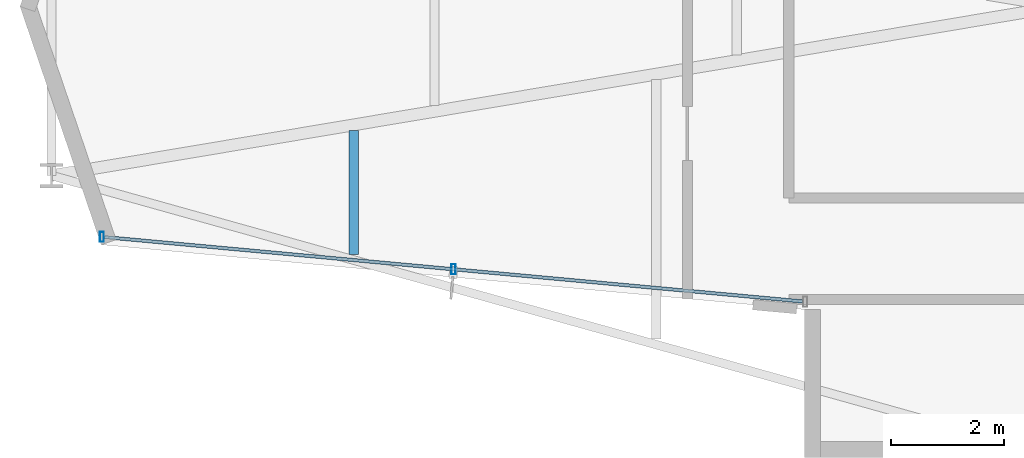
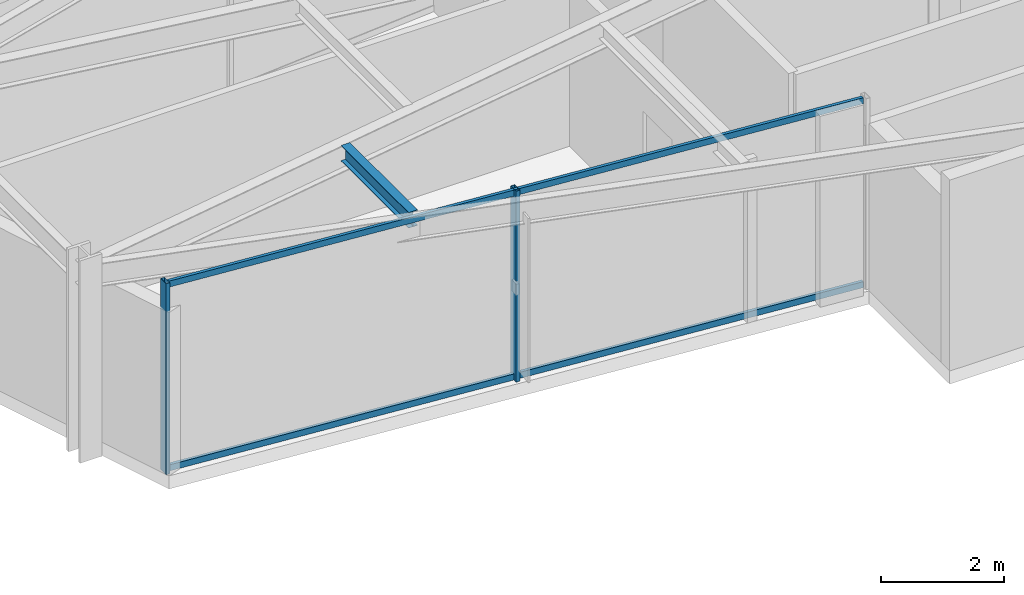
# One storey, part 2 of 22: 4 members, 1 beam, 1 element without a shape of its own.
"""IFC4 building model written with IfcOpenShell, lengths in metres."""

import ifcopenshell
import ifcopenshell.guid

model = None  # the IFC model being written
_history = None  # IfcOwnerHistory: only IFC2X3 demands one
_inside = {}  # id of a spatial element -> (the spatial element, [elements in it])
_under = {}  # id of a project, library or spatial element -> (it, [spatial elements below it])
_declared = {}  # id of a project -> (the project, [libraries it declares])
_typed = {}  # id of a type object -> (the type object, [elements of that type])
_made_of = {}  # id of a material, layer set ... -> (it, [elements and type objects made of it])


def new_model(schema):
    """Start an empty IFC model of exactly this schema.

    Asked for "IFC4X3", IfcOpenShell would pick the latest addendum, in which some entities
    have other attributes; the version numbers below select the first issue.
    IFC2X3 requires an IfcOwnerHistory on every rooted entity: one is made here for all.
    """
    global model, _history
    if schema == "IFC4X3":
        model = ifcopenshell.file(schema_version=(4, 3, 0, 0))
    else:
        model = ifcopenshell.file(schema=schema)
    _inside.clear()
    _under.clear()
    _declared.clear()
    _typed.clear()
    _made_of.clear()
    _history = None
    if model.schema == "IFC2X3":
        org = make("IfcOrganization", Name="unknown")
        user = make(
            "IfcPersonAndOrganization",
            ThePerson=make("IfcPerson", FamilyName="unknown"),
            TheOrganization=org,
        )
        app = make(
            "IfcApplication",
            ApplicationDeveloper=org,
            Version="unknown",
            ApplicationFullName="unknown",
            ApplicationIdentifier="unknown",
        )
        _history = make(
            "IfcOwnerHistory",
            OwningUser=user,
            OwningApplication=app,
            ChangeAction="ADDED",
            CreationDate=0,
        )
    return model


def make(cls, **values):
    """One entity of the class cls with the attributes given. An attribute that is None is left unset."""
    return model.create_entity(
        cls, **{name: value for name, value in values.items() if value is not None}
    )


def rooted(cls, **values):
    """An entity with a GlobalId (a new one), such as an element, a storey or a relation."""
    return make(cls, GlobalId=ifcopenshell.guid.new(), OwnerHistory=_history, **values)


def si_unit(unit_type, name, prefix=None):
    """IfcSIUnit, for example si_unit("LENGTHUNIT", "METRE", prefix="MILLI")."""
    return make("IfcSIUnit", UnitType=unit_type, Prefix=prefix, Name=name)


def assignment(units):
    """IfcUnitAssignment: the units of a project."""
    return None if units is None else make("IfcUnitAssignment", Units=units)


def point(xyz):
    """IfcCartesianPoint."""
    return None if xyz is None else make("IfcCartesianPoint", Coordinates=xyz)


def direction(xyz):
    """IfcDirection."""
    return None if xyz is None else make("IfcDirection", DirectionRatios=xyz)


def frame(location, z_axis=None, x_axis=None):
    """IfcAxis2Placement3D, a coordinate frame: its origin and axes. An axis left out is left unset."""
    return make(
        "IfcAxis2Placement3D",
        Location=point(location),
        Axis=direction(z_axis),
        RefDirection=direction(x_axis),
    )


def frame_2d(location, x_axis=None):
    """IfcAxis2Placement2D, a coordinate frame in the plane: its origin and x axis."""
    return make(
        "IfcAxis2Placement2D", Location=point(location), RefDirection=direction(x_axis)
    )


def origin():
    """The frame at (0, 0, 0) with its axes left unset."""
    return frame((0.0, 0.0, 0.0))


def origin_2d():
    """The frame at (0, 0) in the plane with its x axis left unset."""
    return frame_2d((0.0, 0.0))


def place(relative_to, where):
    """IfcLocalPlacement: puts the frame where relative to a parent placement (None: the world)."""
    return make(
        "IfcLocalPlacement", PlacementRelTo=relative_to, RelativePlacement=where
    )


def context(
    kind, dimensions, precision=None, world=None, true_north=None, identifier=None
):
    """IfcGeometricRepresentationContext, for example the 3D "Model" context."""
    return make(
        "IfcGeometricRepresentationContext",
        ContextIdentifier=identifier,
        ContextType=kind,
        CoordinateSpaceDimension=dimensions,
        Precision=precision,
        WorldCoordinateSystem=world,
        TrueNorth=true_north,
    )


def subcontext(parent, identifier, kind, view, scale=None):
    """IfcGeometricRepresentationSubContext, for example "Body" below "Model"."""
    return make(
        "IfcGeometricRepresentationSubContext",
        ContextIdentifier=identifier,
        ContextType=kind,
        ParentContext=parent,
        TargetScale=scale,
        TargetView=view,
    )


def project(units=None, contexts=None):
    """IfcProject with its units and contexts."""
    return rooted(
        "IfcProject",
        Name="project",
        RepresentationContexts=contexts,
        UnitsInContext=assignment(units),
    )


def spatial(cls, under=None, at=None, **own):
    """A site, building, storey or space (cls), placed at a placement, below another one or the project."""
    s = rooted(cls, ObjectPlacement=at, **own)
    if under is not None:
        _under.setdefault(under.id(), (under, []))[1].append(s)
    return s


def profile(cls, at=None, kind="AREA", **sizes):
    """A parametric profile (cls). Its sizes go by their IFC names, for example OverallWidth=200.0."""
    return make(cls, ProfileType=kind, Position=at, **sizes)


def hollow_rectangle(**sizes):
    """IfcRectangleHollowProfileDef."""
    return profile("IfcRectangleHollowProfileDef", **sizes)


def i_section(**sizes):
    """IfcIShapeProfileDef."""
    return profile("IfcIShapeProfileDef", **sizes)


def extrude(swept, where, along, depth):
    """IfcExtrudedAreaSolid: the profile swept, set in the frame where, extruded along a direction by depth."""
    return make(
        "IfcExtrudedAreaSolid",
        SweptArea=swept,
        Position=where,
        ExtrudedDirection=direction(along),
        Depth=depth,
    )


def shape(context_of_items, identifier, shape_type, items):
    """IfcShapeRepresentation: the items that make up one representation, for example the "Body"."""
    return make(
        "IfcShapeRepresentation",
        ContextOfItems=context_of_items,
        RepresentationIdentifier=identifier,
        RepresentationType=shape_type,
        Items=items,
    )


def material(Name=None, Category=None):
    """IfcMaterial."""
    return make("IfcMaterial", Name=Name, Category=Category)


def layer(
    of_material, thickness, ventilated=None, Name=None, Category=None, Priority=None
):
    """IfcMaterialLayer: one layer of a wall or slab, of a material (None: an air gap)."""
    return make(
        "IfcMaterialLayer",
        Material=of_material,
        LayerThickness=thickness,
        IsVentilated=ventilated,
        Name=Name,
        Category=Category,
        Priority=Priority,
    )


def layer_set(layers, Name=None):
    """IfcMaterialLayerSet."""
    return make("IfcMaterialLayerSet", MaterialLayers=layers, LayerSetName=Name)


def material_profile(
    of_material, cross_section, Name=None, Category=None, Priority=None
):
    """IfcMaterialProfile: a cross section and its material."""
    return make(
        "IfcMaterialProfile",
        Name=Name,
        Material=of_material,
        Profile=cross_section,
        Priority=Priority,
        Category=Category,
    )


def profile_set(profiles, Name=None, composite=None):
    """IfcMaterialProfileSet."""
    return make(
        "IfcMaterialProfileSet",
        Name=Name,
        MaterialProfiles=profiles,
        CompositeProfile=composite,
    )


def made_of(thing, what):
    """Note that an element or type object is made of a material, layer set ...; save() writes the relation."""
    if what is not None:
        _made_of.setdefault(what.id(), (what, []))[1].append(thing)
    return thing


def type_object(cls, material=None, **own):
    """A type object (cls), such as IfcWallType, which elements share."""
    return made_of(rooted(cls, **own), material)


def element(
    cls,
    number,
    at=None,
    inside=None,
    cuts=None,
    type_object=None,
    material=None,
    context=None,
    identifier="Body",
    shape_type=None,
    held_by="IfcProductDefinitionShape",
    body=None,
    shapes=None,
    **own,
):
    """One element of the class cls, such as IfcWall. Its Tag is "e" and its number.

    at: its placement. inside: the storey or other place that contains it. cuts: it is an
    opening in that element (IfcRelVoidsElement). A single representation is given by context,
    identifier, shape_type and body (its items); several are given by shapes. held_by: the class
    of the entity that holds the representations. save() writes the other relations.
    """
    e = rooted(cls, Tag="e%d" % number, ObjectPlacement=at, **own)
    if body is not None:
        shapes = [shape(context, identifier, shape_type, body)]
    if shapes is not None:
        e.Representation = make(held_by, Representations=shapes)
    if inside is not None:
        _inside.setdefault(inside.id(), (inside, []))[1].append(e)
    if cuts is not None:
        rooted(
            "IfcRelVoidsElement", RelatingBuildingElement=cuts, RelatedOpeningElement=e
        )
    if type_object is not None:
        _typed.setdefault(type_object.id(), (type_object, []))[1].append(e)
    return made_of(e, material)


def aggregate(whole, parts):
    """IfcRelAggregates: a whole, such as a stair, and the parts it consists of."""
    return rooted("IfcRelAggregates", RelatingObject=whole, RelatedObjects=parts)


def save(model, path):
    """Write the relations noted so far, then the file.

    IfcRelAggregates (storeys below a building ...), IfcRelContainedInSpatialStructure (elements
    in a storey), IfcRelDefinesByType, IfcRelAssociatesMaterial and IfcRelDeclares: one each for
    every whole, place, type object, material and project.
    """
    for whole, parts in _under.values():
        aggregate(whole, parts)
    for where, things in _inside.values():
        rooted(
            "IfcRelContainedInSpatialStructure",
            RelatedElements=things,
            RelatingStructure=where,
        )
    for kind, things in _typed.values():
        rooted("IfcRelDefinesByType", RelatedObjects=things, RelatingType=kind)
    for what, things in _made_of.values():
        rooted("IfcRelAssociatesMaterial", RelatedObjects=things, RelatingMaterial=what)
    for by, libraries in _declared.values():
        rooted("IfcRelDeclares", RelatingContext=by, RelatedDefinitions=libraries)
    model.write(path)


model = new_model("IFC4")

# Units and contexts
model_context = context("Model", 3, precision=1e-05, world=origin(), true_north=direction((0.0, 1.0)))
body_context = subcontext(model_context, "Body", "Model", "MODEL_VIEW")
ifc_project = project(units=[si_unit("LENGTHUNIT", "METRE"), si_unit("AREAUNIT", "SQUARE_METRE"), si_unit("VOLUMEUNIT", "CUBIC_METRE"), si_unit("PLANEANGLEUNIT", "RADIAN"), si_unit("MASSUNIT", "GRAM", prefix="KILO")], contexts=[model_context])

# Site, building, storey
site_placement = place(None, origin())
site = spatial("IfcSite", under=ifc_project, at=site_placement, CompositionType="ELEMENT")
building_placement = place(site_placement, origin())
building = spatial("IfcBuilding", under=site, at=building_placement, Name="Veymaron Broadcast Tower", CompositionType="ELEMENT")
storey_placement = place(building_placement, frame((0.0, 0.0, 204.0)))
storey = spatial("IfcBuildingStorey", under=building, at=storey_placement, Name="L47", CompositionType="ELEMENT", Elevation=204.0)

# Beam
ifc_material_1 = material(Name="Structural steel ASTM A992 Gr 50", Category="steel")
ifc_material_profile_1 = material_profile(ifc_material_1, i_section(OverallWidth=0.1650390625, OverallDepth=0.31005859375, WebThickness=0.005859375, FlangeThickness=0.009765625, at=origin_2d()), Name="W310X39")
ifc_profile_set_1 = profile_set([ifc_material_profile_1], Name="Structural steel ASTM A992 Gr 50")
beam_type = type_object("IfcBeamType", Name="BM-JS3", PredefinedType="JOIST", material=ifc_profile_set_1)
beam_placement = place(storey_placement, frame((18.68408203125, 19.60009765625, 3.635009765625), z_axis=(0.0, 1.0, 0.0), x_axis=(-1.0, 0.0, 0.0)))
element("IfcBeam", 1, at=beam_placement, inside=storey, type_object=beam_type, Name="L47 Arm-A secondary joist 1S", PredefinedType="JOIST", context=body_context, shape_type="SweptSolid", body=[
    extrude(i_section(OverallWidth=0.1650390625, OverallDepth=0.31005859375, WebThickness=0.005859375, FlangeThickness=0.009765625, at=origin_2d()), origin(), (0.0, 0.0, 1.0), 2.199951171875),
])

# Curtain wall, members
ifc_material_2 = material(Name="Anodised aluminium AA 6063-T6 and laminated low-E dark glass", Category="aluminium")
ifc_layer = layer(ifc_material_2, 0.179931640625)
ifc_layer_set = layer_set([ifc_layer], Name="Anodised aluminium AA 6063-T6 and laminated low-E dark glass")
curtain_wall_type = type_object("IfcCurtainWallType", Name="CW-SYS-05", PredefinedType="NOTDEFINED", material=ifc_layer_set)
curtain_wall_placement = place(storey_placement, origin())
curtain_wall = element("IfcCurtainWall", 2, at=curtain_wall_placement, inside=storey, type_object=curtain_wall_type, Name="L47 dark-glass curtain wall CW-L47-E14-1", PredefinedType="NOTDEFINED")
ifc_material_3 = material(Name="Anodised aluminium AA 6063-T6", Category="aluminium")
ifc_material_profile_2 = material_profile(ifc_material_3, hollow_rectangle(XDim=0.074951171875, YDim=0.179931640625, WallThickness=0.0048828125, at=origin_2d()), Name="AL180X75X5")
ifc_profile_set_2 = profile_set([ifc_material_profile_2], Name="Anodised aluminium AA 6063-T6")
member_type_1 = type_object("IfcMemberType", Name="CW-MUL-02", PredefinedType="MULLION", material=ifc_profile_set_2)
member_1_placement = place(storey_placement, frame((14.212890625, 19.912353515625, 0.0), z_axis=(0.0, 0.0, 1.0), x_axis=(1.0, 0.0, 0.0)))
member_1 = element("IfcMember", 3, at=member_1_placement, type_object=member_type_1, Name="CW-L47-E14-1 mullion 0", PredefinedType="MULLION", context=body_context, shape_type="SweptSolid", body=[
    extrude(hollow_rectangle(XDim=0.074951171875, YDim=0.179931640625, WallThickness=0.0048828125, at=origin_2d()), origin(), (0.0, 0.0, 1.0), 3.7900390625),
])
member_2_placement = place(storey_placement, frame((20.452880859375, 19.3369140625, 0.0), z_axis=(0.0, 0.0, 1.0), x_axis=(1.0, 0.0, 0.0)))
member_2 = element("IfcMember", 4, at=member_2_placement, type_object=member_type_1, Name="CW-L47-E14-1 mullion 1", PredefinedType="MULLION", context=body_context, shape_type="SweptSolid", body=[
    extrude(hollow_rectangle(XDim=0.074951171875, YDim=0.179931640625, WallThickness=0.0048828125, at=origin_2d()), origin(), (0.0, 0.0, 1.0), 3.7900390625),
])
ifc_material_profile_3 = material_profile(ifc_material_3, hollow_rectangle(XDim=0.06005859375, YDim=0.1201171875, WallThickness=0.00390625, at=origin_2d()), Name="AL120X60X4")
ifc_profile_set_3 = profile_set([ifc_material_profile_3], Name="Anodised aluminium AA 6063-T6")
member_type_2 = type_object("IfcMemberType", Name="CW-TRN-02", PredefinedType="USERDEFINED", material=ifc_profile_set_3)
member_3_placement = place(storey_placement, frame((14.2626953125, 19.90771484375, 0.070068359375), z_axis=(0.995777317913, -0.091801596554, 0.0), x_axis=(0.091801596554, 0.995777317913, 0.0)))
member_3 = element("IfcMember", 5, at=member_3_placement, type_object=member_type_2, Name="CW-L47-E14-1 transom B", ObjectType="TRANSOM", PredefinedType="USERDEFINED", context=body_context, shape_type="SweptSolid", body=[
    extrude(hollow_rectangle(XDim=0.06005859375, YDim=0.1201171875, WallThickness=0.00390625, at=origin_2d()), origin(), (0.0, 0.0, 1.0), 12.432861328125),
])
member_4_placement = place(storey_placement, frame((14.2626953125, 19.90771484375, 3.719970703125), z_axis=(0.995777317913, -0.091801596554, 0.0), x_axis=(0.091801596554, 0.995777317913, 0.0)))
member_4 = element("IfcMember", 6, at=member_4_placement, type_object=member_type_2, Name="CW-L47-E14-1 transom T", ObjectType="TRANSOM", PredefinedType="USERDEFINED", context=body_context, shape_type="SweptSolid", body=[
    extrude(hollow_rectangle(XDim=0.06005859375, YDim=0.1201171875, WallThickness=0.00390625, at=origin_2d()), origin(), (0.0, 0.0, 1.0), 12.432861328125),
])
aggregate(curtain_wall, [member_1, member_2, member_3, member_4])

save(model, "model.ifc")
